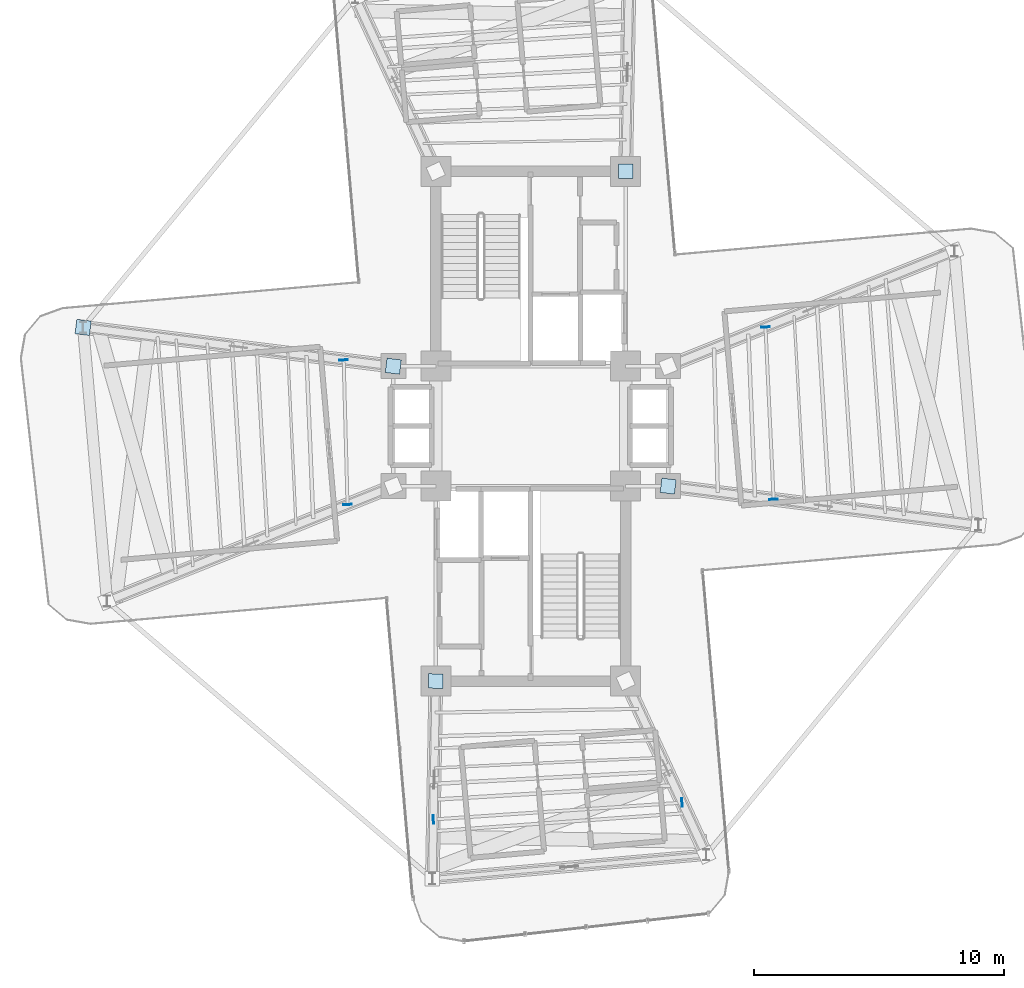
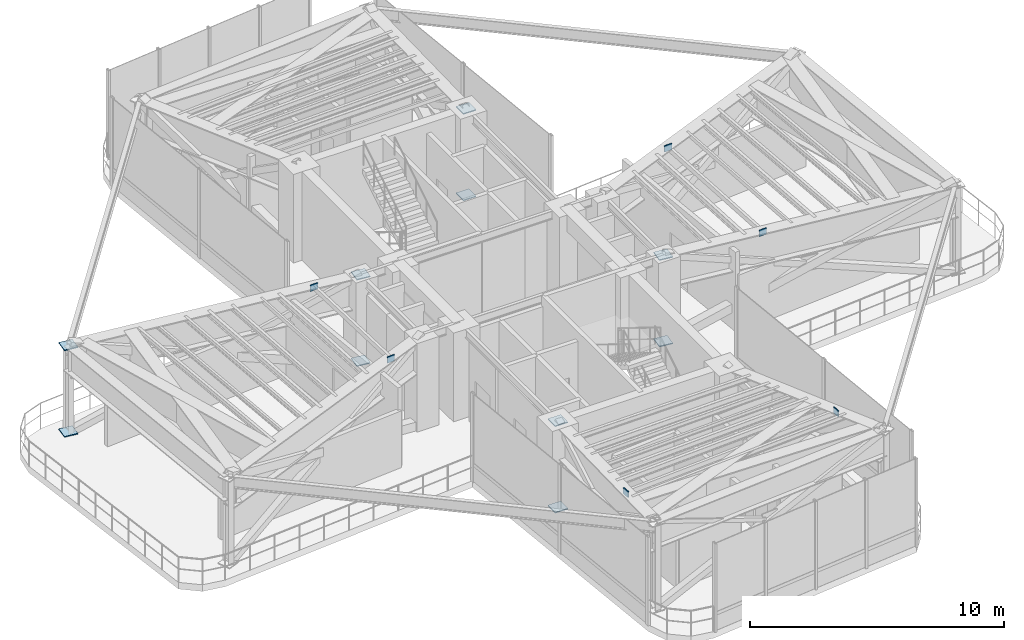
# One storey, part 13 of 17: 16 plates.
"""IFC4 building model written with IfcOpenShell, lengths in metres."""

import ifcopenshell
import ifcopenshell.guid

model = None  # the IFC model being written
_history = None  # IfcOwnerHistory: only IFC2X3 demands one
_inside = {}  # id of a spatial element -> (the spatial element, [elements in it])
_under = {}  # id of a project, library or spatial element -> (it, [spatial elements below it])
_declared = {}  # id of a project -> (the project, [libraries it declares])
_typed = {}  # id of a type object -> (the type object, [elements of that type])
_made_of = {}  # id of a material, layer set ... -> (it, [elements and type objects made of it])


def new_model(schema):
    """Start an empty IFC model of exactly this schema.

    Asked for "IFC4X3", IfcOpenShell would pick the latest addendum, in which some entities
    have other attributes; the version numbers below select the first issue.
    IFC2X3 requires an IfcOwnerHistory on every rooted entity: one is made here for all.
    """
    global model, _history
    if schema == "IFC4X3":
        model = ifcopenshell.file(schema_version=(4, 3, 0, 0))
    else:
        model = ifcopenshell.file(schema=schema)
    _inside.clear()
    _under.clear()
    _declared.clear()
    _typed.clear()
    _made_of.clear()
    _history = None
    if model.schema == "IFC2X3":
        org = make("IfcOrganization", Name="unknown")
        user = make(
            "IfcPersonAndOrganization",
            ThePerson=make("IfcPerson", FamilyName="unknown"),
            TheOrganization=org,
        )
        app = make(
            "IfcApplication",
            ApplicationDeveloper=org,
            Version="unknown",
            ApplicationFullName="unknown",
            ApplicationIdentifier="unknown",
        )
        _history = make(
            "IfcOwnerHistory",
            OwningUser=user,
            OwningApplication=app,
            ChangeAction="ADDED",
            CreationDate=0,
        )
    return model


def make(cls, **values):
    """One entity of the class cls with the attributes given. An attribute that is None is left unset."""
    return model.create_entity(
        cls, **{name: value for name, value in values.items() if value is not None}
    )


def rooted(cls, **values):
    """An entity with a GlobalId (a new one), such as an element, a storey or a relation."""
    return make(cls, GlobalId=ifcopenshell.guid.new(), OwnerHistory=_history, **values)


def si_unit(unit_type, name, prefix=None):
    """IfcSIUnit, for example si_unit("LENGTHUNIT", "METRE", prefix="MILLI")."""
    return make("IfcSIUnit", UnitType=unit_type, Prefix=prefix, Name=name)


def assignment(units):
    """IfcUnitAssignment: the units of a project."""
    return None if units is None else make("IfcUnitAssignment", Units=units)


def point(xyz):
    """IfcCartesianPoint."""
    return None if xyz is None else make("IfcCartesianPoint", Coordinates=xyz)


def direction(xyz):
    """IfcDirection."""
    return None if xyz is None else make("IfcDirection", DirectionRatios=xyz)


def frame(location, z_axis=None, x_axis=None):
    """IfcAxis2Placement3D, a coordinate frame: its origin and axes. An axis left out is left unset."""
    return make(
        "IfcAxis2Placement3D",
        Location=point(location),
        Axis=direction(z_axis),
        RefDirection=direction(x_axis),
    )


def frame_2d(location, x_axis=None):
    """IfcAxis2Placement2D, a coordinate frame in the plane: its origin and x axis."""
    return make(
        "IfcAxis2Placement2D", Location=point(location), RefDirection=direction(x_axis)
    )


def origin():
    """The frame at (0, 0, 0) with its axes left unset."""
    return frame((0.0, 0.0, 0.0))


def origin_2d():
    """The frame at (0, 0) in the plane with its x axis left unset."""
    return frame_2d((0.0, 0.0))


def place(relative_to, where):
    """IfcLocalPlacement: puts the frame where relative to a parent placement (None: the world)."""
    return make(
        "IfcLocalPlacement", PlacementRelTo=relative_to, RelativePlacement=where
    )


def context(
    kind, dimensions, precision=None, world=None, true_north=None, identifier=None
):
    """IfcGeometricRepresentationContext, for example the 3D "Model" context."""
    return make(
        "IfcGeometricRepresentationContext",
        ContextIdentifier=identifier,
        ContextType=kind,
        CoordinateSpaceDimension=dimensions,
        Precision=precision,
        WorldCoordinateSystem=world,
        TrueNorth=true_north,
    )


def subcontext(parent, identifier, kind, view, scale=None):
    """IfcGeometricRepresentationSubContext, for example "Body" below "Model"."""
    return make(
        "IfcGeometricRepresentationSubContext",
        ContextIdentifier=identifier,
        ContextType=kind,
        ParentContext=parent,
        TargetScale=scale,
        TargetView=view,
    )


def project(units=None, contexts=None):
    """IfcProject with its units and contexts."""
    return rooted(
        "IfcProject",
        Name="project",
        RepresentationContexts=contexts,
        UnitsInContext=assignment(units),
    )


def spatial(cls, under=None, at=None, **own):
    """A site, building, storey or space (cls), placed at a placement, below another one or the project."""
    s = rooted(cls, ObjectPlacement=at, **own)
    if under is not None:
        _under.setdefault(under.id(), (under, []))[1].append(s)
    return s


def profile(cls, at=None, kind="AREA", **sizes):
    """A parametric profile (cls). Its sizes go by their IFC names, for example OverallWidth=200.0."""
    return make(cls, ProfileType=kind, Position=at, **sizes)


def rectangle(**sizes):
    """IfcRectangleProfileDef."""
    return profile("IfcRectangleProfileDef", **sizes)


def extrude(swept, where, along, depth):
    """IfcExtrudedAreaSolid: the profile swept, set in the frame where, extruded along a direction by depth."""
    return make(
        "IfcExtrudedAreaSolid",
        SweptArea=swept,
        Position=where,
        ExtrudedDirection=direction(along),
        Depth=depth,
    )


def shape(context_of_items, identifier, shape_type, items):
    """IfcShapeRepresentation: the items that make up one representation, for example the "Body"."""
    return make(
        "IfcShapeRepresentation",
        ContextOfItems=context_of_items,
        RepresentationIdentifier=identifier,
        RepresentationType=shape_type,
        Items=items,
    )


def source(mapping_origin, context_of_items, identifier, shape_type, items):
    """IfcRepresentationMap: a shape defined once, which mapped items show again and again."""
    return make(
        "IfcRepresentationMap",
        MappingOrigin=mapping_origin,
        MappedRepresentation=shape(context_of_items, identifier, shape_type, items),
    )


def transform(
    local_origin,
    x_axis=None,
    y_axis=None,
    z_axis=None,
    scale=None,
    scale2=None,
    scale3=None,
    uniform=True,
):
    """IfcCartesianTransformationOperator3D, or its non-uniform kind. x_axis, y_axis, z_axis: its Axis1, 2, 3."""
    if uniform:
        return make(
            "IfcCartesianTransformationOperator3D",
            Axis1=direction(x_axis),
            Axis2=direction(y_axis),
            LocalOrigin=point(local_origin),
            Scale=scale,
            Axis3=direction(z_axis),
        )
    return make(
        "IfcCartesianTransformationOperator3DnonUniform",
        Axis1=direction(x_axis),
        Axis2=direction(y_axis),
        LocalOrigin=point(local_origin),
        Scale=scale,
        Axis3=direction(z_axis),
        Scale2=scale2,
        Scale3=scale3,
    )


def mapped(mapping_source, mapping_target):
    """IfcMappedItem: shows the shape of a source again, moved by a transform."""
    return make(
        "IfcMappedItem", MappingSource=mapping_source, MappingTarget=mapping_target
    )


def material(Name=None, Category=None):
    """IfcMaterial."""
    return make("IfcMaterial", Name=Name, Category=Category)


def made_of(thing, what):
    """Note that an element or type object is made of a material, layer set ...; save() writes the relation."""
    if what is not None:
        _made_of.setdefault(what.id(), (what, []))[1].append(thing)
    return thing


def type_object(cls, material=None, **own):
    """A type object (cls), such as IfcWallType, which elements share."""
    return made_of(rooted(cls, **own), material)


def element(
    cls,
    number,
    at=None,
    inside=None,
    cuts=None,
    type_object=None,
    material=None,
    context=None,
    identifier="Body",
    shape_type=None,
    held_by="IfcProductDefinitionShape",
    body=None,
    shapes=None,
    **own,
):
    """One element of the class cls, such as IfcWall. Its Tag is "e" and its number.

    at: its placement. inside: the storey or other place that contains it. cuts: it is an
    opening in that element (IfcRelVoidsElement). A single representation is given by context,
    identifier, shape_type and body (its items); several are given by shapes. held_by: the class
    of the entity that holds the representations. save() writes the other relations.
    """
    e = rooted(cls, Tag="e%d" % number, ObjectPlacement=at, **own)
    if body is not None:
        shapes = [shape(context, identifier, shape_type, body)]
    if shapes is not None:
        e.Representation = make(held_by, Representations=shapes)
    if inside is not None:
        _inside.setdefault(inside.id(), (inside, []))[1].append(e)
    if cuts is not None:
        rooted(
            "IfcRelVoidsElement", RelatingBuildingElement=cuts, RelatedOpeningElement=e
        )
    if type_object is not None:
        _typed.setdefault(type_object.id(), (type_object, []))[1].append(e)
    return made_of(e, material)


def aggregate(whole, parts):
    """IfcRelAggregates: a whole, such as a stair, and the parts it consists of."""
    return rooted("IfcRelAggregates", RelatingObject=whole, RelatedObjects=parts)


def save(model, path):
    """Write the relations noted so far, then the file.

    IfcRelAggregates (storeys below a building ...), IfcRelContainedInSpatialStructure (elements
    in a storey), IfcRelDefinesByType, IfcRelAssociatesMaterial and IfcRelDeclares: one each for
    every whole, place, type object, material and project.
    """
    for whole, parts in _under.values():
        aggregate(whole, parts)
    for where, things in _inside.values():
        rooted(
            "IfcRelContainedInSpatialStructure",
            RelatedElements=things,
            RelatingStructure=where,
        )
    for kind, things in _typed.values():
        rooted("IfcRelDefinesByType", RelatedObjects=things, RelatingType=kind)
    for what, things in _made_of.values():
        rooted("IfcRelAssociatesMaterial", RelatedObjects=things, RelatingMaterial=what)
    for by, libraries in _declared.values():
        rooted("IfcRelDeclares", RelatingContext=by, RelatedDefinitions=libraries)
    model.write(path)


model = new_model("IFC4")

# Units and contexts
model_context = context("Model", 3, precision=1e-05, world=origin(), true_north=direction((0.0, 1.0)))
body_context = subcontext(model_context, "Body", "Model", "MODEL_VIEW")
ifc_project = project(units=[si_unit("LENGTHUNIT", "METRE"), si_unit("AREAUNIT", "SQUARE_METRE"), si_unit("VOLUMEUNIT", "CUBIC_METRE"), si_unit("PLANEANGLEUNIT", "RADIAN"), si_unit("MASSUNIT", "GRAM", prefix="KILO")], contexts=[model_context])

# Site, building, storey
site_placement = place(None, origin())
site = spatial("IfcSite", under=ifc_project, at=site_placement, CompositionType="ELEMENT")
building_placement = place(site_placement, origin())
building = spatial("IfcBuilding", under=site, at=building_placement, Name="Sahyath Konkavel Grand Hotel", CompositionType="ELEMENT")
storey_placement = place(building_placement, frame((0.0, 0.0, 202.0)))
storey = spatial("IfcBuildingStorey", under=building, at=storey_placement, Name="L56", CompositionType="ELEMENT", Elevation=202.0)

# Plates
ifc_material = material(Name="Steel E450", Category="steel")
plate_type = type_object("IfcPlateType", Name="GUSSET-END-35", PredefinedType="USERDEFINED", material=ifc_material)
shared_shape_1 = source(origin(), body_context, "Body", "SweptSolid", [
    extrude(rectangle(XDim=0.580078125, YDim=0.580078125, at=origin_2d()), origin(), (0.0, 0.0, 1.0), 0.044921875),
])
for number, where, z_axis, x_axis, name in (
    (1, (5.5, -2.39990234375, 0.027587890625), (0.0, 0.0, 1.0), (0.992256248897, -0.124207634727, 0.0), "L56 Core Outrigger Truss EA Cast-In Embed Gusset Plate BL"),
    (2, (5.5, -2.39990234375, 4.1875), (0.0, 0.0, 1.0), (0.992256248897, -0.124207634727, 0.0), "L56 Core Outrigger Truss EA Cast-In Embed Gusset Plate TL"),
    (3, (3.800048828125, 10.199951171875, 0.027587890625), (0.0, 0.0, 1.0), (0.017242998444, 0.999851328451, 0.0), "L56 Core Outrigger Truss NA Cast-In Embed Gusset Plate BL"),
    (4, (3.800048828125, 10.199951171875, 4.1875), (0.0, 0.0, 1.0), (0.017242998444, 0.999851328451, 0.0), "L56 Core Outrigger Truss NA Cast-In Embed Gusset Plate TL"),
    (5, (-5.5, 2.39990234375, 0.027587890625), (0.0, 0.0, 1.0), (-0.992256248897, 0.124207634727, 0.0), "L56 Core Outrigger Truss WA Cast-In Embed Gusset Plate BL"),
    (6, (-5.5, 2.39990234375, 4.1875), (0.0, 0.0, 1.0), (-0.992256248897, 0.124207634727, 0.0), "L56 Core Outrigger Truss WA Cast-In Embed Gusset Plate TL"),
    (7, (-17.912841796875, 3.953857421875, 0.027587890625), (0.0, 0.0, 1.0), (-0.992256248897, 0.124207634727, 0.0), "L56 Core Outrigger Truss WA Cast-In Embed Gusset Plate BR"),
    (8, (-17.912841796875, 3.953857421875, 4.1875), (0.0, 0.0, 1.0), (-0.992256248897, 0.124207634727, 0.0), "L56 Core Outrigger Truss WA Cast-In Embed Gusset Plate TR"),
    (9, (-3.800048828125, -10.199951171875, 0.027587890625), (0.0, 0.0, 1.0), (-0.017242998444, -0.999851328451, 0.0), "L56 Core Outrigger Truss SA Cast-In Embed Gusset Plate BL"),
    (10, (-3.800048828125, -10.199951171875, 4.1875), (0.0, 0.0, 1.0), (-0.017242998444, -0.999851328451, 0.0), "L56 Core Outrigger Truss SA Cast-In Embed Gusset Plate TL"),
):
    element("IfcPlate", number, at=place(storey_placement, frame(where, z_axis=z_axis, x_axis=x_axis)), inside=storey, type_object=plate_type, Name=name, ObjectType="GUSSET_PLATE", PredefinedType="USERDEFINED", context=body_context, shape_type="MappedRepresentation", body=[
        mapped(shared_shape_1, transform((0.0, 0.0, 0.0), scale=1.0)),
    ])
shared_shape_2 = source(origin(), body_context, "Body", "SweptSolid", [
    extrude(rectangle(XDim=0.0400390625, YDim=0.340087890625, at=origin_2d()), origin(), (0.0, 0.0, 1.0), 0.300048828125),
])
for number, where, z_axis, x_axis, name in (
    (11, (9.720458984375, -2.92822265625, 4.0), (0.0, 0.0, 1.0), (-0.047228487778, 0.998884112368, 0.0), "L56 Sub-Beam E-2 End Cap A"),
    (12, (9.394287109375, 3.965576171875, 4.0), (0.0, 0.0, 1.0), (-0.047228487778, 0.998884112368, 0.0), "L56 Sub-Beam E-2 End Cap B"),
    (13, (-7.486083984375, 2.648681640625, 4.0), (0.0, 0.0, 1.0), (0.026490998622, -0.999649051914, 0.0), "L56 Sub-Beam W-1 End Cap A"),
    (14, (-7.332763671875, -3.13671875, 4.0), (0.0, 0.0, 1.0), (0.026490998622, -0.999649051914, 0.0), "L56 Sub-Beam W-1 End Cap B"),
    (15, (-3.8955078125, -15.73828125, 4.0), (0.0, 0.0, 1.0), (0.997733868593, 0.067283931683, 0.0), "L56 Sub-Beam S-5 End Cap A"),
    (16, (6.05517578125, -15.0673828125, 4.0), (0.0, 0.0, 1.0), (0.997733868593, 0.067283931683, 0.0), "L56 Sub-Beam S-5 End Cap B"),
):
    element("IfcPlate", number, at=place(storey_placement, frame(where, z_axis=z_axis, x_axis=x_axis)), inside=storey, type_object=plate_type, Name=name, ObjectType="GUSSET_PLATE", PredefinedType="USERDEFINED", context=body_context, shape_type="MappedRepresentation", body=[
        mapped(shared_shape_2, transform((0.0, 0.0, 0.0), scale=1.0)),
    ])

save(model, "model.ifc")
